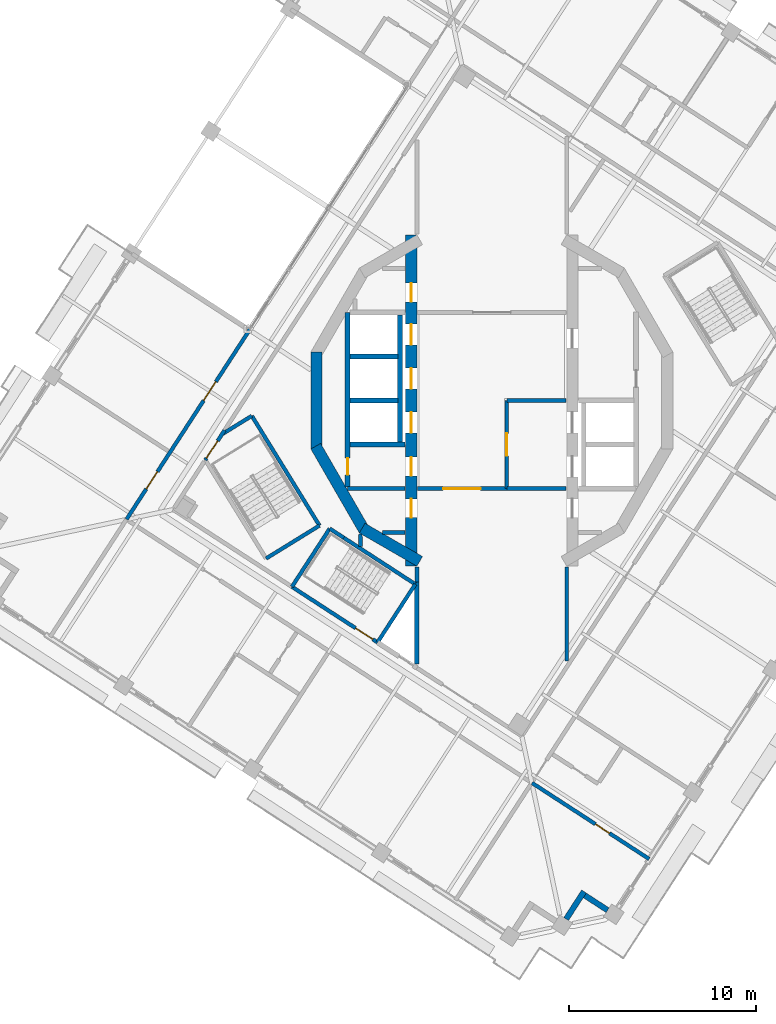
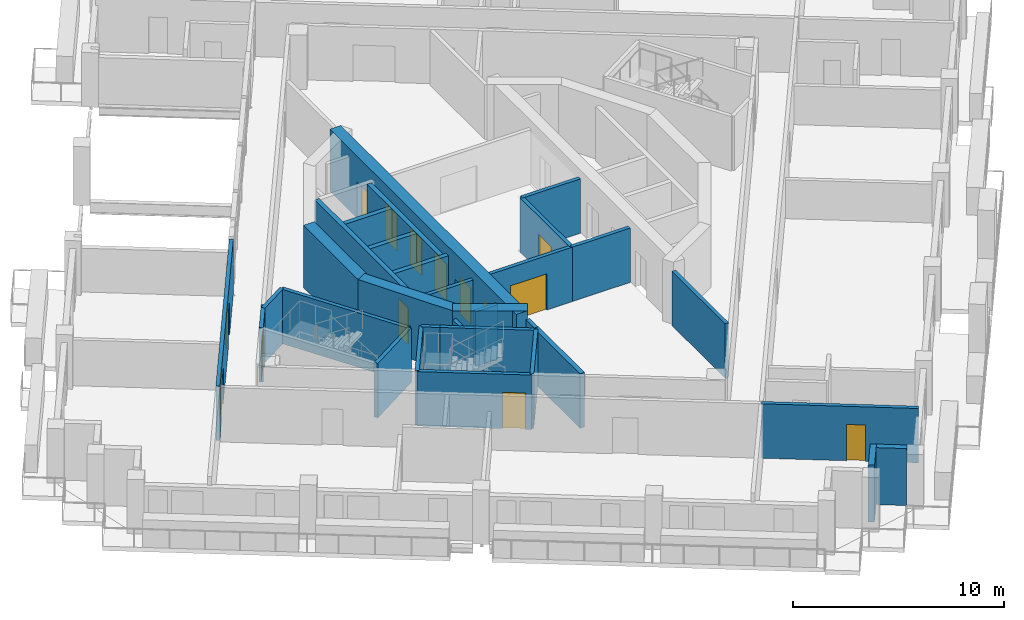
# One storey, part 6 of 17: 32 walls, 14 doors, 14 openings.
"""IFC4 building model written with IfcOpenShell, lengths in metres."""

import ifcopenshell
import ifcopenshell.guid

model = None  # the IFC model being written
_history = None  # IfcOwnerHistory: only IFC2X3 demands one
_inside = {}  # id of a spatial element -> (the spatial element, [elements in it])
_under = {}  # id of a project, library or spatial element -> (it, [spatial elements below it])
_declared = {}  # id of a project -> (the project, [libraries it declares])
_typed = {}  # id of a type object -> (the type object, [elements of that type])
_made_of = {}  # id of a material, layer set ... -> (it, [elements and type objects made of it])


def new_model(schema):
    """Start an empty IFC model of exactly this schema.

    Asked for "IFC4X3", IfcOpenShell would pick the latest addendum, in which some entities
    have other attributes; the version numbers below select the first issue.
    IFC2X3 requires an IfcOwnerHistory on every rooted entity: one is made here for all.
    """
    global model, _history
    if schema == "IFC4X3":
        model = ifcopenshell.file(schema_version=(4, 3, 0, 0))
    else:
        model = ifcopenshell.file(schema=schema)
    _inside.clear()
    _under.clear()
    _declared.clear()
    _typed.clear()
    _made_of.clear()
    _history = None
    if model.schema == "IFC2X3":
        org = make("IfcOrganization", Name="unknown")
        user = make(
            "IfcPersonAndOrganization",
            ThePerson=make("IfcPerson", FamilyName="unknown"),
            TheOrganization=org,
        )
        app = make(
            "IfcApplication",
            ApplicationDeveloper=org,
            Version="unknown",
            ApplicationFullName="unknown",
            ApplicationIdentifier="unknown",
        )
        _history = make(
            "IfcOwnerHistory",
            OwningUser=user,
            OwningApplication=app,
            ChangeAction="ADDED",
            CreationDate=0,
        )
    return model


def make(cls, **values):
    """One entity of the class cls with the attributes given. An attribute that is None is left unset."""
    return model.create_entity(
        cls, **{name: value for name, value in values.items() if value is not None}
    )


def rooted(cls, **values):
    """An entity with a GlobalId (a new one), such as an element, a storey or a relation."""
    return make(cls, GlobalId=ifcopenshell.guid.new(), OwnerHistory=_history, **values)


def si_unit(unit_type, name, prefix=None):
    """IfcSIUnit, for example si_unit("LENGTHUNIT", "METRE", prefix="MILLI")."""
    return make("IfcSIUnit", UnitType=unit_type, Prefix=prefix, Name=name)


def assignment(units):
    """IfcUnitAssignment: the units of a project."""
    return None if units is None else make("IfcUnitAssignment", Units=units)


def point(xyz):
    """IfcCartesianPoint."""
    return None if xyz is None else make("IfcCartesianPoint", Coordinates=xyz)


def direction(xyz):
    """IfcDirection."""
    return None if xyz is None else make("IfcDirection", DirectionRatios=xyz)


def frame(location, z_axis=None, x_axis=None):
    """IfcAxis2Placement3D, a coordinate frame: its origin and axes. An axis left out is left unset."""
    return make(
        "IfcAxis2Placement3D",
        Location=point(location),
        Axis=direction(z_axis),
        RefDirection=direction(x_axis),
    )


def frame_2d(location, x_axis=None):
    """IfcAxis2Placement2D, a coordinate frame in the plane: its origin and x axis."""
    return make(
        "IfcAxis2Placement2D", Location=point(location), RefDirection=direction(x_axis)
    )


def origin():
    """The frame at (0, 0, 0) with its axes left unset."""
    return frame((0.0, 0.0, 0.0))


def place(relative_to, where):
    """IfcLocalPlacement: puts the frame where relative to a parent placement (None: the world)."""
    return make(
        "IfcLocalPlacement", PlacementRelTo=relative_to, RelativePlacement=where
    )


def context(
    kind, dimensions, precision=None, world=None, true_north=None, identifier=None
):
    """IfcGeometricRepresentationContext, for example the 3D "Model" context."""
    return make(
        "IfcGeometricRepresentationContext",
        ContextIdentifier=identifier,
        ContextType=kind,
        CoordinateSpaceDimension=dimensions,
        Precision=precision,
        WorldCoordinateSystem=world,
        TrueNorth=true_north,
    )


def subcontext(parent, identifier, kind, view, scale=None):
    """IfcGeometricRepresentationSubContext, for example "Body" below "Model"."""
    return make(
        "IfcGeometricRepresentationSubContext",
        ContextIdentifier=identifier,
        ContextType=kind,
        ParentContext=parent,
        TargetScale=scale,
        TargetView=view,
    )


def project(units=None, contexts=None):
    """IfcProject with its units and contexts."""
    return rooted(
        "IfcProject",
        Name="project",
        RepresentationContexts=contexts,
        UnitsInContext=assignment(units),
    )


def spatial(cls, under=None, at=None, **own):
    """A site, building, storey or space (cls), placed at a placement, below another one or the project."""
    s = rooted(cls, ObjectPlacement=at, **own)
    if under is not None:
        _under.setdefault(under.id(), (under, []))[1].append(s)
    return s


def profile(cls, at=None, kind="AREA", **sizes):
    """A parametric profile (cls). Its sizes go by their IFC names, for example OverallWidth=200.0."""
    return make(cls, ProfileType=kind, Position=at, **sizes)


def rectangle(**sizes):
    """IfcRectangleProfileDef."""
    return profile("IfcRectangleProfileDef", **sizes)


def extrude(swept, where, along, depth):
    """IfcExtrudedAreaSolid: the profile swept, set in the frame where, extruded along a direction by depth."""
    return make(
        "IfcExtrudedAreaSolid",
        SweptArea=swept,
        Position=where,
        ExtrudedDirection=direction(along),
        Depth=depth,
    )


def shape(context_of_items, identifier, shape_type, items):
    """IfcShapeRepresentation: the items that make up one representation, for example the "Body"."""
    return make(
        "IfcShapeRepresentation",
        ContextOfItems=context_of_items,
        RepresentationIdentifier=identifier,
        RepresentationType=shape_type,
        Items=items,
    )


def material(Name=None, Category=None):
    """IfcMaterial."""
    return make("IfcMaterial", Name=Name, Category=Category)


def layer(
    of_material, thickness, ventilated=None, Name=None, Category=None, Priority=None
):
    """IfcMaterialLayer: one layer of a wall or slab, of a material (None: an air gap)."""
    return make(
        "IfcMaterialLayer",
        Material=of_material,
        LayerThickness=thickness,
        IsVentilated=ventilated,
        Name=Name,
        Category=Category,
        Priority=Priority,
    )


def layer_set(layers, Name=None):
    """IfcMaterialLayerSet."""
    return make("IfcMaterialLayerSet", MaterialLayers=layers, LayerSetName=Name)


def made_of(thing, what):
    """Note that an element or type object is made of a material, layer set ...; save() writes the relation."""
    if what is not None:
        _made_of.setdefault(what.id(), (what, []))[1].append(thing)
    return thing


def type_object(cls, material=None, **own):
    """A type object (cls), such as IfcWallType, which elements share."""
    return made_of(rooted(cls, **own), material)


def element(
    cls,
    number,
    at=None,
    inside=None,
    cuts=None,
    type_object=None,
    material=None,
    context=None,
    identifier="Body",
    shape_type=None,
    held_by="IfcProductDefinitionShape",
    body=None,
    shapes=None,
    **own,
):
    """One element of the class cls, such as IfcWall. Its Tag is "e" and its number.

    at: its placement. inside: the storey or other place that contains it. cuts: it is an
    opening in that element (IfcRelVoidsElement). A single representation is given by context,
    identifier, shape_type and body (its items); several are given by shapes. held_by: the class
    of the entity that holds the representations. save() writes the other relations.
    """
    e = rooted(cls, Tag="e%d" % number, ObjectPlacement=at, **own)
    if body is not None:
        shapes = [shape(context, identifier, shape_type, body)]
    if shapes is not None:
        e.Representation = make(held_by, Representations=shapes)
    if inside is not None:
        _inside.setdefault(inside.id(), (inside, []))[1].append(e)
    if cuts is not None:
        rooted(
            "IfcRelVoidsElement", RelatingBuildingElement=cuts, RelatedOpeningElement=e
        )
    if type_object is not None:
        _typed.setdefault(type_object.id(), (type_object, []))[1].append(e)
    return made_of(e, material)


def fill(opening, filler):
    """IfcRelFillsElement: the door or window that sits in an opening."""
    return rooted(
        "IfcRelFillsElement",
        RelatingOpeningElement=opening,
        RelatedBuildingElement=filler,
    )


def aggregate(whole, parts):
    """IfcRelAggregates: a whole, such as a stair, and the parts it consists of."""
    return rooted("IfcRelAggregates", RelatingObject=whole, RelatedObjects=parts)


def save(model, path):
    """Write the relations noted so far, then the file.

    IfcRelAggregates (storeys below a building ...), IfcRelContainedInSpatialStructure (elements
    in a storey), IfcRelDefinesByType, IfcRelAssociatesMaterial and IfcRelDeclares: one each for
    every whole, place, type object, material and project.
    """
    for whole, parts in _under.values():
        aggregate(whole, parts)
    for where, things in _inside.values():
        rooted(
            "IfcRelContainedInSpatialStructure",
            RelatedElements=things,
            RelatingStructure=where,
        )
    for kind, things in _typed.values():
        rooted("IfcRelDefinesByType", RelatedObjects=things, RelatingType=kind)
    for what, things in _made_of.values():
        rooted("IfcRelAssociatesMaterial", RelatedObjects=things, RelatingMaterial=what)
    for by, libraries in _declared.values():
        rooted("IfcRelDeclares", RelatingContext=by, RelatedDefinitions=libraries)
    model.write(path)


model = new_model("IFC4")

# Units and contexts
model_context = context("Model", 3, precision=1e-05, world=origin(), true_north=direction((0.0, 1.0)))
body_context = subcontext(model_context, "Body", "Model", "MODEL_VIEW")
ifc_project = project(units=[si_unit("LENGTHUNIT", "METRE"), si_unit("AREAUNIT", "SQUARE_METRE"), si_unit("VOLUMEUNIT", "CUBIC_METRE"), si_unit("PLANEANGLEUNIT", "RADIAN"), si_unit("MASSUNIT", "GRAM", prefix="KILO")], contexts=[model_context])

# Site, building, storey
site_placement = place(None, origin())
site = spatial("IfcSite", under=ifc_project, at=site_placement, CompositionType="ELEMENT")
building_placement = place(site_placement, origin())
building = spatial("IfcBuilding", under=site, at=building_placement, Name="Cantera Rosa Tower", CompositionType="ELEMENT")
storey_placement = place(building_placement, frame((0.0, 0.0, 286.5)))
storey = spatial("IfcBuildingStorey", under=building, at=storey_placement, Name="L65", CompositionType="ELEMENT", Elevation=286.5)

# Wall
ifc_material_1 = material(Name="Gypsum board partition")
ifc_layer_1 = layer(ifc_material_1, 0.199951171875)
ifc_layer_set_1 = layer_set([ifc_layer_1], Name="CORRIDOR WALL 200 H3150")
wall_type_1 = type_object("IfcWallType", Name="CORRIDOR WALL 200 H3150", PredefinedType="PARTITIONING", material=ifc_layer_set_1)
wall_1_placement = place(storey_placement, frame((-4.0, -9.67578125, 0.0), z_axis=(0.0, 0.0, 1.0), x_axis=(0.0, 1.0, 0.0)))
element("IfcWall", 1, at=wall_1_placement, inside=storey, type_object=wall_type_1, Name="CORRIDOR WALL L65-039", PredefinedType="PARTITIONING", context=body_context, shape_type="SweptSolid", body=[
    extrude(rectangle(XDim=0.796875, YDim=0.199951171875, at=frame_2d((0.3984375, 0.0))), origin(), (0.0, 0.0, 1.0), 3.14990234375),
])

# Wall, openings, doors
wall_2_placement = place(storey_placement, frame((-12.869384765625, 3.8681640625, 0.0), z_axis=(0.0, 0.0, 1.0), x_axis=(-0.544651825178, -0.838662261778, 0.0)))
wall_2 = element("IfcWall", 2, at=wall_2_placement, inside=storey, type_object=wall_type_1, Name="CORRIDOR WALL L65-047", PredefinedType="PARTITIONING", context=body_context, shape_type="SweptSolid", body=[
    extrude(rectangle(XDim=12.1650390625, YDim=0.199951171875, at=frame_2d((6.08251953125, 0.0))), origin(), (0.0, 0.0, 1.0), 3.14990234375),
])
opening_1_placement = place(wall_2_placement, frame((3.4150390625, 0.0, 0.0)))
opening_1 = element("IfcOpeningElement", 3, at=opening_1_placement, cuts=wall_2, Name="Opening L65-024", PredefinedType="OPENING", context=body_context, shape_type="SweptSolid", body=[
    extrude(rectangle(XDim=1.199951171875, YDim=2.10009765625, at=frame_2d((0.60009765625, 1.050048828125))), frame((0.0, 0.10986328125, 0.0), z_axis=(0.0, -1.0, 0.0), x_axis=(1.0, 0.0, 0.0)), (0.0, 0.0, 1.0), 0.219970703125),
])
opening_2_placement = place(wall_2_placement, frame((9.135009765625, 0.0, 0.0)))
opening_2 = element("IfcOpeningElement", 4, at=opening_2_placement, cuts=wall_2, Name="Opening L65-028", PredefinedType="OPENING", context=body_context, shape_type="SweptSolid", body=[
    extrude(rectangle(XDim=1.10009765625, YDim=2.10009765625, at=frame_2d((0.550048828125, 1.050048828125))), frame((0.0, 0.10986328125, 0.0), z_axis=(0.0, -1.0, 0.0), x_axis=(1.0, 0.0, 0.0)), (0.0, 0.0, 1.0), 0.219970703125),
])
ifc_material_2 = material(Name="Timber door leaf", Category="wood")
door_type_1 = type_object("IfcDoorType", Name="ROOM DOOR 1100x2100", OperationType="NOTDEFINED", PredefinedType="DOOR", material=ifc_material_2)
door_1_placement = place(opening_2_placement, origin())
door_1 = element("IfcDoor", 5, at=door_1_placement, inside=storey, type_object=door_type_1, Name="DOOR L65-028", OperationType="NOTDEFINED", OverallHeight=2.10009765625, OverallWidth=1.10009765625, PredefinedType="DOOR", context=body_context, shape_type="SweptSolid", body=[
    extrude(rectangle(XDim=1.10009765625, YDim=2.10009765625, at=frame_2d((0.550048828125, 1.050048828125))), frame((0.0, 0.02490234375, 0.0), z_axis=(0.0, -1.0, 0.0), x_axis=(1.0, 0.0, 0.0)), (0.0, 0.0, 1.0), 0.050048828125),
])
fill(opening_2, door_1)
ifc_material_3 = material(Name="Timber door leaf", Category="wood")
door_type_2 = type_object("IfcDoorType", Name="ROOM DOOR 1200x2100", OperationType="NOTDEFINED", PredefinedType="DOOR", material=ifc_material_3)
door_2_placement = place(opening_1_placement, origin())
door_2 = element("IfcDoor", 6, at=door_2_placement, inside=storey, type_object=door_type_2, Name="DOOR L65-024", OperationType="NOTDEFINED", OverallHeight=2.10009765625, OverallWidth=1.199951171875, PredefinedType="DOOR", context=body_context, shape_type="SweptSolid", body=[
    extrude(rectangle(XDim=1.199951171875, YDim=2.10009765625, at=frame_2d((0.60009765625, 1.050048828125))), frame((0.0, 0.02490234375, 0.0), z_axis=(0.0, -1.0, 0.0), x_axis=(1.0, 0.0, 0.0)), (0.0, 0.0, 1.0), 0.050048828125),
])
fill(opening_1, door_2)

# Wall, opening, door
wall_3_placement = place(storey_placement, frame((0.800048828125, -4.699951171875, 0.0), z_axis=(0.0, 0.0, 1.0), x_axis=(-1.0, 0.0, 0.0)))
wall_3 = element("IfcWall", 7, at=wall_3_placement, inside=storey, type_object=wall_type_1, Name="CORRIDOR WALL L65-052", PredefinedType="PARTITIONING", context=body_context, shape_type="SweptSolid", body=[
    extrude(rectangle(XDim=4.77001953125, YDim=0.199951171875, at=frame_2d((2.385009765625, 0.0))), origin(), (0.0, 0.0, 1.0), 3.14990234375),
])
opening_3_placement = place(wall_3_placement, frame((1.39990234375, 0.0, 0.0)))
opening_3 = element("IfcOpeningElement", 8, at=opening_3_placement, cuts=wall_3, Name="Opening L65-011", PredefinedType="OPENING", context=body_context, shape_type="SweptSolid", body=[
    extrude(rectangle(XDim=2.0, YDim=2.10009765625, at=frame_2d((1.0, 1.050048828125))), frame((0.0, 0.10986328125, 0.0), z_axis=(0.0, -1.0, 0.0), x_axis=(1.0, 0.0, 0.0)), (0.0, 0.0, 1.0), 0.219970703125),
])
ifc_material_4 = material(Name="Steel S355J2 (EN 10025-2)", Category="steel")
door_type_3 = type_object("IfcDoorType", Name="LOBBY SCREEN DOOR 2000x2100", OperationType="NOTDEFINED", PredefinedType="DOOR", material=ifc_material_4)
door_3_placement = place(opening_3_placement, origin())
door_3 = element("IfcDoor", 9, at=door_3_placement, inside=storey, type_object=door_type_3, Name="DOOR L65-011", OperationType="NOTDEFINED", OverallHeight=2.10009765625, OverallWidth=2.0, PredefinedType="DOOR", context=body_context, shape_type="SweptSolid", body=[
    extrude(rectangle(XDim=2.0, YDim=2.10009765625, at=frame_2d((1.0, 1.050048828125))), frame((0.0, 0.02490234375, 0.0), z_axis=(0.0, -1.0, 0.0), x_axis=(1.0, 0.0, 0.0)), (0.0, 0.0, 1.0), 0.050048828125),
])
fill(opening_3, door_3)

# Walls
wall_4_placement = place(storey_placement, frame((4.0, -13.90087890625, 0.0), z_axis=(0.0, 0.0, 1.0), x_axis=(0.0, 1.0, 0.0)))
element("IfcWall", 10, at=wall_4_placement, inside=storey, type_object=wall_type_1, Name="CORRIDOR WALL L65-059", PredefinedType="PARTITIONING", context=body_context, shape_type="SweptSolid", body=[
    extrude(rectangle(XDim=5.02197265625, YDim=0.199951171875, at=frame_2d((2.510986328125, 0.0))), origin(), (0.0, 0.0, 1.0), 3.14990234375),
])
ifc_material_5 = material(Name="Hollow clay masonry with cantera stone cladding", Category="masonry")
ifc_layer_2 = layer(ifc_material_5, 0.300048828125)
ifc_layer_set_2 = layer_set([ifc_layer_2], Name="EW-LOGGIA 300")
wall_type_2 = type_object("IfcWallType", Name="EW-LOGGIA 300", PredefinedType="SOLIDWALL", material=ifc_layer_set_2)
wall_5_placement = place(storey_placement, frame((3.966796875, -27.67529296875, 0.0), z_axis=(0.0, 0.0, 1.0), x_axis=(0.544679362749, 0.83864437743, 0.0)))
element("IfcWall", 11, at=wall_5_placement, inside=storey, type_object=wall_type_2, Name="EN-L65-W19a", PredefinedType="SOLIDWALL", context=body_context, shape_type="SweptSolid", body=[
    extrude(rectangle(XDim=1.75, YDim=0.300048828125, at=frame_2d((0.875, 0.0))), origin(), (0.0, 0.0, 1.0), 3.300048828125),
])
wall_6_placement = place(storey_placement, frame((4.964111328125, -26.415283203125, 0.0), z_axis=(0.0, 0.0, 1.0), x_axis=(0.838724343483, -0.544556218997, 0.0)))
element("IfcWall", 12, at=wall_6_placement, inside=storey, type_object=wall_type_2, Name="EN-L65-W19b", PredefinedType="SOLIDWALL", context=body_context, shape_type="SweptSolid", body=[
    extrude(rectangle(XDim=1.449951171875, YDim=0.300048828125, at=frame_2d((0.72509765625, 0.0))), origin(), (0.0, 0.0, 1.0), 3.300048828125),
])
ifc_material_6 = material(Name="Gypsum board partition")
ifc_layer_3 = layer(ifc_material_6, 0.199951171875)
ifc_layer_set_3 = layer_set([ifc_layer_3], Name="PARTITION 200 H3150")
wall_type_3 = type_object("IfcWallType", Name="PARTITION 200 H3150", PredefinedType="PARTITIONING", material=ifc_layer_set_3)
wall_7_placement = place(storey_placement, frame((-7.699951171875, -4.699951171875, 0.0), z_axis=(0.0, 0.0, 1.0), x_axis=(1.0, 0.0, 0.0)))
element("IfcWall", 13, at=wall_7_placement, inside=storey, type_object=wall_type_3, Name="PARTITION L65-021", PredefinedType="PARTITIONING", context=body_context, shape_type="SweptSolid", body=[
    extrude(rectangle(XDim=3.070068359375, YDim=0.199951171875, at=frame_2d((1.53515625, 0.0))), origin(), (0.0, 0.0, 1.0), 3.14990234375),
])
wall_8_placement = place(storey_placement, frame((-7.018798828125, -7.135986328125, 0.0), z_axis=(0.0, 0.0, 1.0), x_axis=(0.017606861895, -0.999844987193, 0.0)))
element("IfcWall", 14, at=wall_8_placement, inside=storey, type_object=wall_type_3, Name="PARTITION L65-027", PredefinedType="PARTITIONING", context=body_context, shape_type="SweptSolid", body=[
    extrude(rectangle(XDim=0.651611328125, YDim=0.199951171875, at=frame_2d((0.32568359375, 0.0))), origin(), (0.0, 0.0, 1.0), 3.14990234375),
])
wall_9_placement = place(storey_placement, frame((-4.6298828125, -7.050048828125, 0.0), z_axis=(0.0, 0.0, 1.0), x_axis=(-1.0, 0.0, 0.0)))
element("IfcWall", 15, at=wall_9_placement, inside=storey, type_object=wall_type_3, Name="PARTITION L65-034", PredefinedType="PARTITIONING", context=body_context, shape_type="SweptSolid", body=[
    extrude(rectangle(XDim=1.2177734375, YDim=0.199951171875, at=frame_2d((0.60888671875, 0.0))), origin(), (0.0, 0.0, 1.0), 3.14990234375),
])

# Wall, opening, door
wall_10_placement = place(storey_placement, frame((2.148681640625, -20.41357421875, 0.0), z_axis=(0.0, 0.0, 1.0), x_axis=(0.83866516607, -0.544647353083, 0.0)))
wall_10 = element("IfcWall", 16, at=wall_10_placement, inside=storey, type_object=wall_type_3, Name="PARTITION L65-056", PredefinedType="PARTITIONING", context=body_context, shape_type="SweptSolid", body=[
    extrude(rectangle(XDim=7.449951171875, YDim=0.199951171875, at=frame_2d((3.72509765625, 0.0))), origin(), (0.0, 0.0, 1.0), 3.14990234375),
])
opening_4_placement = place(wall_10_placement, frame((4.030029296875, 0.0, 0.0)))
opening_4 = element("IfcOpeningElement", 17, at=opening_4_placement, cuts=wall_10, Name="Opening L65-037", PredefinedType="OPENING", context=body_context, shape_type="SweptSolid", body=[
    extrude(rectangle(XDim=0.89990234375, YDim=2.10009765625, at=frame_2d((0.449951171875, 1.050048828125))), frame((0.0, 0.10986328125, 0.0), z_axis=(0.0, -1.0, 0.0), x_axis=(1.0, 0.0, 0.0)), (0.0, 0.0, 1.0), 0.219970703125),
])
ifc_material_7 = material(Name="Timber door leaf", Category="wood")
door_type_4 = type_object("IfcDoorType", Name="ROOM DOOR 900x2100", OperationType="NOTDEFINED", PredefinedType="DOOR", material=ifc_material_7)
door_4_placement = place(opening_4_placement, origin())
door_4 = element("IfcDoor", 18, at=door_4_placement, inside=storey, type_object=door_type_4, Name="DOOR L65-037", OperationType="NOTDEFINED", OverallHeight=2.10009765625, OverallWidth=0.89990234375, PredefinedType="DOOR", context=body_context, shape_type="SweptSolid", body=[
    extrude(rectangle(XDim=0.89990234375, YDim=2.10009765625, at=frame_2d((0.449951171875, 1.050048828125))), frame((0.0, 0.02490234375, 0.0), z_axis=(0.0, -1.0, 0.0), x_axis=(1.0, 0.0, 0.0)), (0.0, 0.0, 1.0), 0.050048828125),
])
fill(opening_4, door_4)

# Walls
ifc_material_8 = material(Name="Concrete C50/60", Category="concrete")
ifc_layer_4 = layer(ifc_material_8, 0.60009765625)
ifc_layer_set_4 = layer_set([ifc_layer_4], Name="RC CORE WALL 600 C50/60")
wall_type_4 = type_object("IfcWallType", Name="RC CORE WALL 600 C50/60", PredefinedType="SHEAR", material=ifc_layer_set_4)
wall_11_placement = place(storey_placement, frame((-3.85009765625, -8.584228515625, 0.0), z_axis=(0.0, 0.0, 1.0), x_axis=(-0.866039982607, 0.499974747889, 0.0)))
element("IfcWall", 19, at=wall_11_placement, inside=storey, type_object=wall_type_4, Name="CW-W1 L65", PredefinedType="SHEAR", context=body_context, shape_type="SweptSolid", body=[
    extrude(rectangle(XDim=3.546142578125, YDim=0.60009765625, at=frame_2d((1.77294921875, 0.0))), origin(), (0.0, 0.0, 1.0), 3.60009765625),
])
for number, where, z_axis, x_axis, name in (
    (20, (-6.811279296875, -6.921142578125, 0.0), (0.0, 0.0, 1.0), (-0.499989188378, 0.866031645787, 0.0), "CW-W2 L65"),
    (21, (-9.359375, -2.588134765625, 0.0), (0.0, 0.0, 1.0), (0.0, 1.0, 0.0), "CW-W3 L65"),
):
    element("IfcWall", number, at=place(storey_placement, frame(where, z_axis=z_axis, x_axis=x_axis)), inside=storey, type_object=wall_type_4, Name=name, PredefinedType="SHEAR", context=body_context, shape_type="SweptSolid", body=[
        extrude(rectangle(XDim=5.17626953125, YDim=0.60009765625, at=frame_2d((2.588134765625, 0.0))), origin(), (0.0, 0.0, 1.0), 3.60009765625),
    ])

# Wall, openings, doors
wall_12_placement = place(storey_placement, frame((-4.300048828125, 8.84423828125, 0.0), z_axis=(0.0, 0.0, 1.0), x_axis=(0.0, -1.0, 0.0)))
wall_12 = element("IfcWall", 22, at=wall_12_placement, inside=storey, type_object=wall_type_4, Name="CW-W6 L65", PredefinedType="SHEAR", context=body_context, shape_type="SweptSolid", body=[
    extrude(rectangle(XDim=17.6884765625, YDim=0.60009765625, at=frame_2d((8.84423828125, 0.0))), origin(), (0.0, 0.0, 1.0), 3.60009765625),
])
opening_5_placement = place(wall_12_placement, frame((9.468994140625, 0.0, 0.0)))
opening_5 = element("IfcOpeningElement", 23, at=opening_5_placement, cuts=wall_12, Name="Opening LD-H1-L65", PredefinedType="OPENING", context=body_context, shape_type="SweptSolid", body=[
    extrude(rectangle(XDim=1.10009765625, YDim=2.10009765625, at=frame_2d((0.550048828125, 1.050048828125))), frame((0.0, 0.31005859375, 0.0), z_axis=(0.0, -1.0, 0.0), x_axis=(1.0, 0.0, 0.0)), (0.0, 0.0, 1.0), 0.6201171875),
])
opening_6_placement = place(wall_12_placement, frame((7.119140625, 0.0, 0.0)))
opening_6 = element("IfcOpeningElement", 24, at=opening_6_placement, cuts=wall_12, Name="Opening LD-H2-L65", PredefinedType="OPENING", context=body_context, shape_type="SweptSolid", body=[
    extrude(rectangle(XDim=1.10009765625, YDim=2.10009765625, at=frame_2d((0.550048828125, 1.050048828125))), frame((0.0, 0.31005859375, 0.0), z_axis=(0.0, -1.0, 0.0), x_axis=(1.0, 0.0, 0.0)), (0.0, 0.0, 1.0), 0.6201171875),
])
opening_7_placement = place(wall_12_placement, frame((4.76904296875, 0.0, 0.0)))
opening_7 = element("IfcOpeningElement", 25, at=opening_7_placement, cuts=wall_12, Name="Opening LD-H3-L65", PredefinedType="OPENING", context=body_context, shape_type="SweptSolid", body=[
    extrude(rectangle(XDim=1.10009765625, YDim=2.10009765625, at=frame_2d((0.550048828125, 1.050048828125))), frame((0.0, 0.31005859375, 0.0), z_axis=(0.0, -1.0, 0.0), x_axis=(1.0, 0.0, 0.0)), (0.0, 0.0, 1.0), 0.6201171875),
])
opening_8_placement = place(wall_12_placement, frame((14.091552734375, 0.0, 0.0)))
opening_8 = element("IfcOpeningElement", 26, at=opening_8_placement, cuts=wall_12, Name="Opening SD-L65-13", PredefinedType="OPENING", context=body_context, shape_type="SweptSolid", body=[
    extrude(rectangle(XDim=1.0, YDim=2.10009765625, at=frame_2d((0.5, 1.050048828125))), frame((0.0, 0.31005859375, 0.0), z_axis=(0.0, -1.0, 0.0), x_axis=(1.0, 0.0, 0.0)), (0.0, 0.0, 1.0), 0.6201171875),
])
opening_9_placement = place(wall_12_placement, frame((2.572265625, 0.0, 0.0)))
opening_9 = element("IfcOpeningElement", 27, at=opening_9_placement, cuts=wall_12, Name="Opening SD-L65-14", PredefinedType="OPENING", context=body_context, shape_type="SweptSolid", body=[
    extrude(rectangle(XDim=1.0, YDim=2.10009765625, at=frame_2d((0.5, 1.050048828125))), frame((0.0, 0.31005859375, 0.0), z_axis=(0.0, -1.0, 0.0), x_axis=(1.0, 0.0, 0.0)), (0.0, 0.0, 1.0), 0.6201171875),
])
opening_10_placement = place(wall_12_placement, frame((11.869140625, 0.0, 0.0)))
opening_10 = element("IfcOpeningElement", 28, at=opening_10_placement, cuts=wall_12, Name="Opening SD-L65-15", PredefinedType="OPENING", context=body_context, shape_type="SweptSolid", body=[
    extrude(rectangle(XDim=1.0, YDim=2.10009765625, at=frame_2d((0.5, 1.050048828125))), frame((0.0, 0.31005859375, 0.0), z_axis=(0.0, -1.0, 0.0), x_axis=(1.0, 0.0, 0.0)), (0.0, 0.0, 1.0), 0.6201171875),
])
ifc_material_9 = material(Name="Steel S355J2 (EN 10025-2)", Category="steel")
door_type_5 = type_object("IfcDoorType", Name="LANDING DOOR 1100x2100", OperationType="NOTDEFINED", PredefinedType="DOOR", material=ifc_material_9)
door_5_placement = place(opening_5_placement, origin())
door_5 = element("IfcDoor", 29, at=door_5_placement, inside=storey, type_object=door_type_5, Name="LANDING DOOR H1 L65", OperationType="SLIDING_TO_LEFT", OverallHeight=2.10009765625, OverallWidth=1.10009765625, PredefinedType="DOOR", context=body_context, shape_type="SweptSolid", body=[
    extrude(rectangle(XDim=1.10009765625, YDim=2.10009765625, at=frame_2d((0.550048828125, 1.050048828125))), frame((0.0, 0.02490234375, 0.0), z_axis=(0.0, -1.0, 0.0), x_axis=(1.0, 0.0, 0.0)), (0.0, 0.0, 1.0), 0.050048828125),
])
fill(opening_5, door_5)
door_6_placement = place(opening_6_placement, origin())
door_6 = element("IfcDoor", 30, at=door_6_placement, inside=storey, type_object=door_type_5, Name="LANDING DOOR H2 L65", OperationType="SLIDING_TO_LEFT", OverallHeight=2.10009765625, OverallWidth=1.10009765625, PredefinedType="DOOR", context=body_context, shape_type="SweptSolid", body=[
    extrude(rectangle(XDim=1.10009765625, YDim=2.10009765625, at=frame_2d((0.550048828125, 1.050048828125))), frame((0.0, 0.02490234375, 0.0), z_axis=(0.0, -1.0, 0.0), x_axis=(1.0, 0.0, 0.0)), (0.0, 0.0, 1.0), 0.050048828125),
])
fill(opening_6, door_6)
door_7_placement = place(opening_7_placement, origin())
door_7 = element("IfcDoor", 31, at=door_7_placement, inside=storey, type_object=door_type_5, Name="LANDING DOOR H3 L65", OperationType="SLIDING_TO_LEFT", OverallHeight=2.10009765625, OverallWidth=1.10009765625, PredefinedType="DOOR", context=body_context, shape_type="SweptSolid", body=[
    extrude(rectangle(XDim=1.10009765625, YDim=2.10009765625, at=frame_2d((0.550048828125, 1.050048828125))), frame((0.0, 0.02490234375, 0.0), z_axis=(0.0, -1.0, 0.0), x_axis=(1.0, 0.0, 0.0)), (0.0, 0.0, 1.0), 0.050048828125),
])
fill(opening_7, door_7)
ifc_material_10 = material(Name="Timber door leaf", Category="wood")
door_type_6 = type_object("IfcDoorType", Name="SERVICE DOOR 1000x2100", OperationType="NOTDEFINED", PredefinedType="DOOR", material=ifc_material_10)
door_8_placement = place(opening_8_placement, origin())
door_8 = element("IfcDoor", 32, at=door_8_placement, inside=storey, type_object=door_type_6, Name="DOOR L65-SD13", OperationType="NOTDEFINED", OverallHeight=2.10009765625, OverallWidth=1.0, PredefinedType="DOOR", context=body_context, shape_type="SweptSolid", body=[
    extrude(rectangle(XDim=1.0, YDim=2.10009765625, at=frame_2d((0.5, 1.050048828125))), frame((0.0, 0.02490234375, 0.0), z_axis=(0.0, -1.0, 0.0), x_axis=(1.0, 0.0, 0.0)), (0.0, 0.0, 1.0), 0.050048828125),
])
fill(opening_8, door_8)
door_9_placement = place(opening_9_placement, origin())
door_9 = element("IfcDoor", 33, at=door_9_placement, inside=storey, type_object=door_type_6, Name="DOOR L65-SD14", OperationType="NOTDEFINED", OverallHeight=2.10009765625, OverallWidth=1.0, PredefinedType="DOOR", context=body_context, shape_type="SweptSolid", body=[
    extrude(rectangle(XDim=1.0, YDim=2.10009765625, at=frame_2d((0.5, 1.050048828125))), frame((0.0, 0.02490234375, 0.0), z_axis=(0.0, -1.0, 0.0), x_axis=(1.0, 0.0, 0.0)), (0.0, 0.0, 1.0), 0.050048828125),
])
fill(opening_9, door_9)
door_10_placement = place(opening_10_placement, origin())
door_10 = element("IfcDoor", 34, at=door_10_placement, inside=storey, type_object=door_type_6, Name="DOOR L65-SD15", OperationType="NOTDEFINED", OverallHeight=2.10009765625, OverallWidth=1.0, PredefinedType="DOOR", context=body_context, shape_type="SweptSolid", body=[
    extrude(rectangle(XDim=1.0, YDim=2.10009765625, at=frame_2d((0.5, 1.050048828125))), frame((0.0, 0.02490234375, 0.0), z_axis=(0.0, -1.0, 0.0), x_axis=(1.0, 0.0, 0.0)), (0.0, 0.0, 1.0), 0.050048828125),
])
fill(opening_10, door_10)

# Walls
ifc_material_11 = material(Name="Masonry blockwork", Category="masonry")
ifc_layer_5 = layer(ifc_material_11, 0.25)
ifc_layer_set_5 = layer_set([ifc_layer_5], Name="SHAFT WALL 250 H3150")
wall_type_5 = type_object("IfcWallType", Name="SHAFT WALL 250 H3150", PredefinedType="SOLIDWALL", material=ifc_layer_set_5)
for number, where, z_axis, x_axis, name in (
    (35, (-7.574951171875, 0.0, 0.0), (0.0, 0.0, 1.0), (1.0, 0.0, 0.0), "SHAFT WALL L65-022"),
    (36, (-7.574951171875, 2.35009765625, 0.0), (0.0, 0.0, 1.0), (1.0, 0.0, 0.0), "SHAFT WALL L65-023"),
):
    element("IfcWall", number, at=place(storey_placement, frame(where, z_axis=z_axis, x_axis=x_axis)), inside=storey, type_object=wall_type_5, Name=name, PredefinedType="SOLIDWALL", context=body_context, shape_type="SweptSolid", body=[
        extrude(rectangle(XDim=2.554931640625, YDim=0.25, at=frame_2d((1.27734375, 0.0))), origin(), (0.0, 0.0, 1.0), 3.14990234375),
    ])

# Wall, opening, door
wall_13_placement = place(storey_placement, frame((-7.699951171875, 4.699951171875, 0.0), z_axis=(0.0, 0.0, 1.0), x_axis=(0.0, -1.0, 0.0)))
wall_13 = element("IfcWall", 37, at=wall_13_placement, inside=storey, type_object=wall_type_5, Name="SHAFT WALL L65-024", PredefinedType="SOLIDWALL", context=body_context, shape_type="SweptSolid", body=[
    extrude(rectangle(XDim=9.320068359375, YDim=0.25, at=frame_2d((4.66015625, 0.0))), origin(), (0.0, 0.0, 1.0), 3.14990234375),
])
opening_11_placement = place(wall_13_placement, frame((7.7705078125, 0.0, 0.0)))
opening_11 = element("IfcOpeningElement", 38, at=opening_11_placement, cuts=wall_13, Name="Opening L65-041", PredefinedType="OPENING", context=body_context, shape_type="SweptSolid", body=[
    extrude(rectangle(XDim=0.89990234375, YDim=2.10009765625, at=frame_2d((0.449951171875, 1.050048828125))), frame((0.0, 0.135009765625, 0.0), z_axis=(0.0, -1.0, 0.0), x_axis=(1.0, 0.0, 0.0)), (0.0, 0.0, 1.0), 0.27001953125),
])
ifc_material_12 = material(Name="Timber door leaf", Category="wood")
door_type_7 = type_object("IfcDoorType", Name="SERVICE DOOR 900x2100", OperationType="NOTDEFINED", PredefinedType="DOOR", material=ifc_material_12)
door_11_placement = place(opening_11_placement, origin())
door_11 = element("IfcDoor", 39, at=door_11_placement, inside=storey, type_object=door_type_7, Name="RISER DOOR L65-041", OperationType="NOTDEFINED", OverallHeight=2.10009765625, OverallWidth=0.89990234375, PredefinedType="DOOR", context=body_context, shape_type="SweptSolid", body=[
    extrude(rectangle(XDim=0.89990234375, YDim=2.10009765625, at=frame_2d((0.449951171875, 1.050048828125))), frame((0.0, 0.02490234375, 0.0), z_axis=(0.0, -1.0, 0.0), x_axis=(1.0, 0.0, 0.0)), (0.0, 0.0, 1.0), 0.050048828125),
])
fill(opening_11, door_11)

# Walls
wall_14_placement = place(storey_placement, frame((-4.89990234375, -2.22509765625, 0.0), z_axis=(0.0, 0.0, 1.0), x_axis=(0.0, 1.0, 0.0)))
element("IfcWall", 40, at=wall_14_placement, inside=storey, type_object=wall_type_5, Name="SHAFT WALL L65-033", PredefinedType="SOLIDWALL", context=body_context, shape_type="SweptSolid", body=[
    extrude(rectangle(XDim=6.800048828125, YDim=0.25, at=frame_2d((3.39990234375, 0.0))), origin(), (0.0, 0.0, 1.0), 3.14990234375),
])
wall_15_placement = place(storey_placement, frame((-4.6298828125, -2.35009765625, 0.0), z_axis=(0.0, 0.0, 1.0), x_axis=(-1.0, 0.0, 0.0)))
element("IfcWall", 41, at=wall_15_placement, inside=storey, type_object=wall_type_5, Name="SHAFT WALL L65-035", PredefinedType="SOLIDWALL", context=body_context, shape_type="SweptSolid", body=[
    extrude(rectangle(XDim=2.945068359375, YDim=0.25, at=frame_2d((1.47265625, 0.0))), origin(), (0.0, 0.0, 1.0), 3.14990234375),
])
wall_16_placement = place(storey_placement, frame((-4.0, -9.67578125, 0.0), z_axis=(0.0, 0.0, 1.0), x_axis=(0.0, -1.0, 0.0)))
element("IfcWall", 42, at=wall_16_placement, inside=storey, type_object=wall_type_5, Name="SHAFT WALL L65-038", PredefinedType="SOLIDWALL", context=body_context, shape_type="SweptSolid", body=[
    extrude(rectangle(XDim=4.37841796875, YDim=0.25, at=frame_2d((2.189208984375, 0.0))), origin(), (0.0, 0.0, 1.0), 3.14990234375),
])

# Wall, opening, door
ifc_material_13 = material(Name="Concrete C50/60", Category="concrete")
ifc_layer_6 = layer(ifc_material_13, 0.199951171875)
ifc_layer_set_6 = layer_set([ifc_layer_6], Name="STAIR WALL 200 H3150")
wall_type_6 = type_object("IfcWallType", Name="STAIR WALL 200 H3150", PredefinedType="SOLIDWALL", material=ifc_layer_set_6)
wall_17_placement = place(storey_placement, frame((-14.268310546875, -1.5908203125, 0.0), z_axis=(0.0, 0.0, 1.0), x_axis=(-0.544651565877, -0.838662430176, 0.0)))
wall_17 = element("IfcWall", 43, at=wall_17_placement, inside=storey, type_object=wall_type_6, Name="STAIR WALL L65-011", PredefinedType="SOLIDWALL", context=body_context, shape_type="SweptSolid", body=[
    extrude(rectangle(XDim=1.8857421875, YDim=0.199951171875, at=frame_2d((0.94287109375, 0.0))), origin(), (0.0, 0.0, 1.0), 3.14990234375),
])
opening_12_placement = place(wall_17_placement, frame((0.6689453125, 0.0, 0.0)))
opening_12 = element("IfcOpeningElement", 44, at=opening_12_placement, cuts=wall_17, Name="Opening L65-002", PredefinedType="OPENING", context=body_context, shape_type="SweptSolid", body=[
    extrude(rectangle(XDim=1.10009765625, YDim=2.10009765625, at=frame_2d((0.550048828125, 1.050048828125))), frame((0.0, 0.10986328125, 0.0), z_axis=(0.0, -1.0, 0.0), x_axis=(1.0, 0.0, 0.0)), (0.0, 0.0, 1.0), 0.219970703125),
])
ifc_material_14 = material(Name="Steel S355J2 (EN 10025-2)", Category="steel")
door_type_8 = type_object("IfcDoorType", Name="STAIR DOOR 1100x2100", OperationType="NOTDEFINED", PredefinedType="DOOR", material=ifc_material_14)
door_12_placement = place(opening_12_placement, origin())
door_12 = element("IfcDoor", 45, at=door_12_placement, inside=storey, type_object=door_type_8, Name="DOOR L65-002", OperationType="NOTDEFINED", OverallHeight=2.10009765625, OverallWidth=1.10009765625, PredefinedType="DOOR", context=body_context, shape_type="SweptSolid", body=[
    extrude(rectangle(XDim=1.10009765625, YDim=2.10009765625, at=frame_2d((0.550048828125, 1.050048828125))), frame((0.0, 0.02490234375, 0.0), z_axis=(0.0, -1.0, 0.0), x_axis=(1.0, 0.0, 0.0)), (0.0, 0.0, 1.0), 0.050048828125),
])
fill(opening_12, door_12)

# Walls
wall_18_placement = place(storey_placement, frame((-12.811279296875, -0.818359375, 0.0), z_axis=(0.0, 0.0, 1.0), x_axis=(-0.851125244186, -0.524962683158, 0.0)))
element("IfcWall", 46, at=wall_18_placement, inside=storey, type_object=wall_type_6, Name="STAIR WALL L65-013", PredefinedType="SOLIDWALL", context=body_context, shape_type="SweptSolid", body=[
    extrude(rectangle(XDim=1.872802734375, YDim=0.199951171875, at=frame_2d((0.9365234375, 0.0))), origin(), (0.0, 0.0, 1.0), 3.14990234375),
])
wall_19_placement = place(storey_placement, frame((-12.05078125, -8.4326171875, 0.0), z_axis=(0.0, 0.0, 1.0), x_axis=(0.85113993661, 0.524938861495, 0.0)))
element("IfcWall", 47, at=wall_19_placement, inside=storey, type_object=wall_type_6, Name="STAIR WALL L65-014", PredefinedType="SOLIDWALL", context=body_context, shape_type="SweptSolid", body=[
    extrude(rectangle(XDim=3.35009765625, YDim=0.199951171875, at=frame_2d((1.675048828125, 0.0))), origin(), (0.0, 0.0, 1.0), 3.14990234375),
])

# Wall, opening, door
wall_20_placement = place(storey_placement, frame((-10.67138671875, -9.94189453125, 0.0), z_axis=(0.0, 0.0, 1.0), x_axis=(0.838674843592, -0.544632451041, 0.0)))
wall_20 = element("IfcWall", 48, at=wall_20_placement, inside=storey, type_object=wall_type_6, Name="STAIR WALL L65-016", PredefinedType="SOLIDWALL", context=body_context, shape_type="SweptSolid", body=[
    extrude(rectangle(XDim=5.449951171875, YDim=0.199951171875, at=frame_2d((2.72509765625, 0.0))), origin(), (0.0, 0.0, 1.0), 3.14990234375),
])
opening_13_placement = place(wall_20_placement, frame((4.050048828125, 0.0, 0.0)))
opening_13 = element("IfcOpeningElement", 49, at=opening_13_placement, cuts=wall_20, Name="Opening L65-003", PredefinedType="OPENING", context=body_context, shape_type="SweptSolid", body=[
    extrude(rectangle(XDim=1.10009765625, YDim=2.10009765625, at=frame_2d((0.550048828125, 1.050048828125))), frame((0.0, 0.10986328125, 0.0), z_axis=(0.0, -1.0, 0.0), x_axis=(1.0, 0.0, 0.0)), (0.0, 0.0, 1.0), 0.219970703125),
])
door_13_placement = place(opening_13_placement, origin())
door_13 = element("IfcDoor", 50, at=door_13_placement, inside=storey, type_object=door_type_8, Name="DOOR L65-003", OperationType="NOTDEFINED", OverallHeight=2.10009765625, OverallWidth=1.10009765625, PredefinedType="DOOR", context=body_context, shape_type="SweptSolid", body=[
    extrude(rectangle(XDim=1.10009765625, YDim=2.10009765625, at=frame_2d((0.550048828125, 1.050048828125))), frame((0.0, 0.02490234375, 0.0), z_axis=(0.0, -1.0, 0.0), x_axis=(1.0, 0.0, 0.0)), (0.0, 0.0, 1.0), 0.050048828125),
])
fill(opening_13, door_13)

# Walls
wall_21_placement = place(storey_placement, frame((-9.199462890625, -6.674072265625, 0.0), z_axis=(0.0, 0.0, 1.0), x_axis=(-0.524972254536, 0.851119340614, 0.0)))
element("IfcWall", 51, at=wall_21_placement, inside=storey, type_object=wall_type_6, Name="STAIR WALL L65-017", PredefinedType="SOLIDWALL", context=body_context, shape_type="SweptSolid", body=[
    extrude(rectangle(XDim=6.880126953125, YDim=0.199951171875, at=frame_2d((3.43994140625, 0.0))), origin(), (0.0, 0.0, 1.0), 3.14990234375),
])
wall_22_placement = place(storey_placement, frame((-8.65478515625, -6.8369140625, 0.0), z_axis=(0.0, 0.0, 1.0), x_axis=(-0.544677727046, -0.838645439778, 0.0)))
element("IfcWall", 52, at=wall_22_placement, inside=storey, type_object=wall_type_6, Name="STAIR WALL L65-019", PredefinedType="SOLIDWALL", context=body_context, shape_type="SweptSolid", body=[
    extrude(rectangle(XDim=3.702392578125, YDim=0.199951171875, at=frame_2d((1.85107421875, 0.0))), origin(), (0.0, 0.0, 1.0), 3.14990234375),
])
wall_23_placement = place(storey_placement, frame((-8.65478515625, -6.8369140625, 0.0), z_axis=(0.0, 0.0, 1.0), x_axis=(0.838666637781, -0.54464508689, 0.0)))
element("IfcWall", 53, at=wall_23_placement, inside=storey, type_object=wall_type_6, Name="STAIR WALL L65-020", PredefinedType="SOLIDWALL", context=body_context, shape_type="SweptSolid", body=[
    extrude(rectangle(XDim=0.900146484375, YDim=0.199951171875, at=frame_2d((0.4501953125, 0.0))), origin(), (0.0, 0.0, 1.0), 3.14990234375),
])
wall_24_placement = place(storey_placement, frame((-6.1005859375, -12.91015625, 0.0), z_axis=(0.0, 0.0, 1.0), x_axis=(0.544677727046, 0.838645439778, 0.0)))
element("IfcWall", 54, at=wall_24_placement, inside=storey, type_object=wall_type_6, Name="STAIR WALL L65-029", PredefinedType="SOLIDWALL", context=body_context, shape_type="SweptSolid", body=[
    extrude(rectangle(XDim=3.702392578125, YDim=0.199951171875, at=frame_2d((1.85107421875, 0.0))), origin(), (0.0, 0.0, 1.0), 3.14990234375),
])

# Wall, opening, door
wall_25_placement = place(storey_placement, frame((0.800048828125, -4.699951171875, 0.0), z_axis=(0.0, 0.0, 1.0), x_axis=(0.0, 1.0, 0.0)))
wall_25 = element("IfcWall", 55, at=wall_25_placement, inside=storey, type_object=wall_type_6, Name="STAIR WALL L65-053", PredefinedType="SOLIDWALL", context=body_context, shape_type="SweptSolid", body=[
    extrude(rectangle(XDim=4.699951171875, YDim=0.199951171875, at=frame_2d((2.35009765625, 0.0))), origin(), (0.0, 0.0, 1.0), 3.14990234375),
])
opening_14_placement = place(wall_25_placement, frame((1.75, 0.0, 0.0)))
opening_14 = element("IfcOpeningElement", 56, at=opening_14_placement, cuts=wall_25, Name="Opening L65-012", PredefinedType="OPENING", context=body_context, shape_type="SweptSolid", body=[
    extrude(rectangle(XDim=1.199951171875, YDim=2.10009765625, at=frame_2d((0.60009765625, 1.050048828125))), frame((0.0, 0.10986328125, 0.0), z_axis=(0.0, -1.0, 0.0), x_axis=(1.0, 0.0, 0.0)), (0.0, 0.0, 1.0), 0.219970703125),
])
ifc_material_15 = material(Name="Steel S355J2 (EN 10025-2)", Category="steel")
door_type_9 = type_object("IfcDoorType", Name="FIRE DOOR 1200x2100", OperationType="NOTDEFINED", PredefinedType="DOOR", material=ifc_material_15)
door_14_placement = place(opening_14_placement, origin())
door_14 = element("IfcDoor", 57, at=door_14_placement, inside=storey, type_object=door_type_9, Name="DOOR L65-012", OperationType="NOTDEFINED", OverallHeight=2.10009765625, OverallWidth=1.199951171875, PredefinedType="DOOR", context=body_context, shape_type="SweptSolid", body=[
    extrude(rectangle(XDim=1.199951171875, YDim=2.10009765625, at=frame_2d((0.60009765625, 1.050048828125))), frame((0.0, 0.02490234375, 0.0), z_axis=(0.0, -1.0, 0.0), x_axis=(1.0, 0.0, 0.0)), (0.0, 0.0, 1.0), 0.050048828125),
])
fill(opening_14, door_14)

# Walls
for number, where, z_axis, x_axis, name in (
    (58, (0.800048828125, 0.0, 0.0), (0.0, 0.0, 1.0), (1.0, 0.0, 0.0), "STAIR WALL L65-054"),
    (59, (3.969970703125, -4.699951171875, 0.0), (0.0, 0.0, 1.0), (-1.0, 0.0, 0.0), "STAIR WALL L65-058"),
):
    element("IfcWall", number, at=place(storey_placement, frame(where, z_axis=z_axis, x_axis=x_axis)), inside=storey, type_object=wall_type_6, Name=name, PredefinedType="SOLIDWALL", context=body_context, shape_type="SweptSolid", body=[
        extrude(rectangle(XDim=3.169921875, YDim=0.199951171875, at=frame_2d((1.5849609375, 0.0))), origin(), (0.0, 0.0, 1.0), 3.14990234375),
    ])
wall_26_placement = place(storey_placement, frame((-7.89990234375, -7.3271484375, 0.0), z_axis=(0.0, 0.0, 1.0), x_axis=(0.8386764669, -0.544629951314, 0.0)))
element("IfcWall", 60, at=wall_26_placement, inside=storey, type_object=wall_type_6, Name="STAIR WALL L65-020 J", PredefinedType="SOLIDWALL", context=body_context, shape_type="SweptSolid", body=[
    extrude(rectangle(XDim=4.550048828125, YDim=0.199951171875, at=frame_2d((2.27490234375, 0.0))), origin(), (0.0, 0.0, 1.0), 3.14990234375),
])

save(model, "model.ifc")
